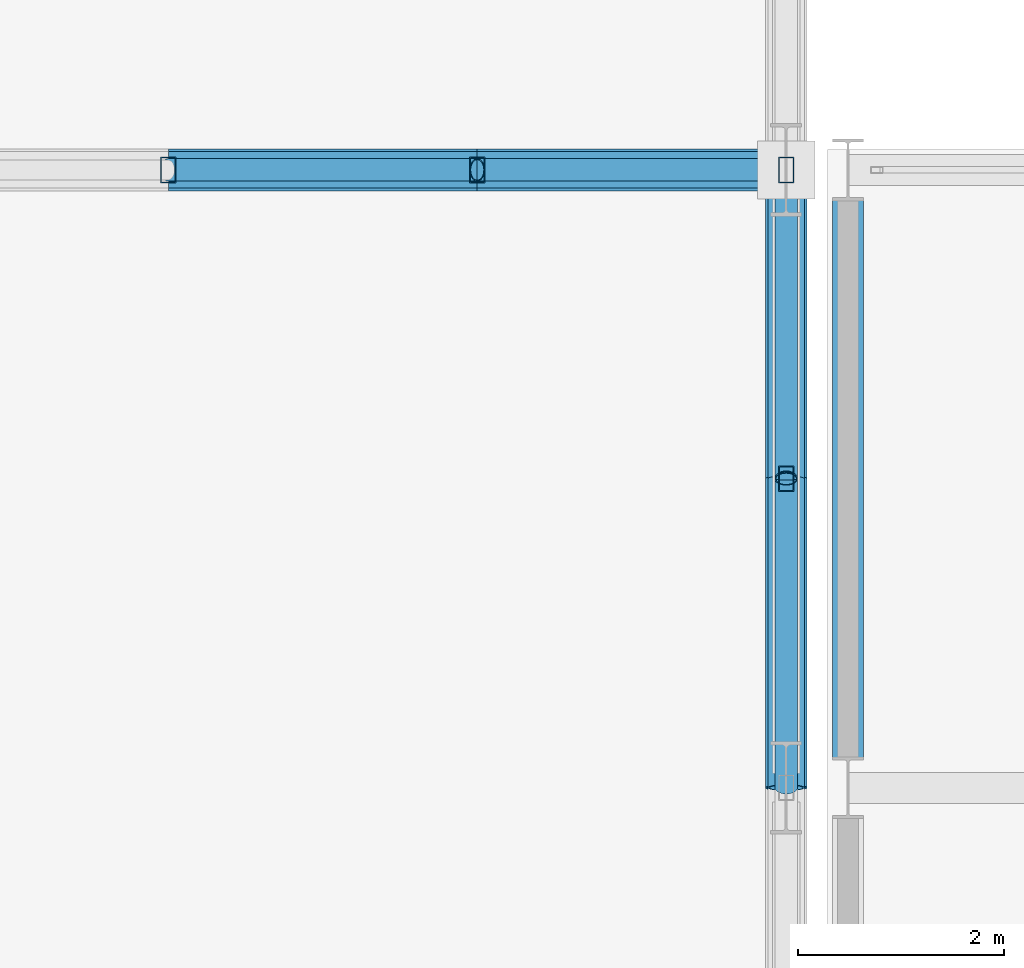
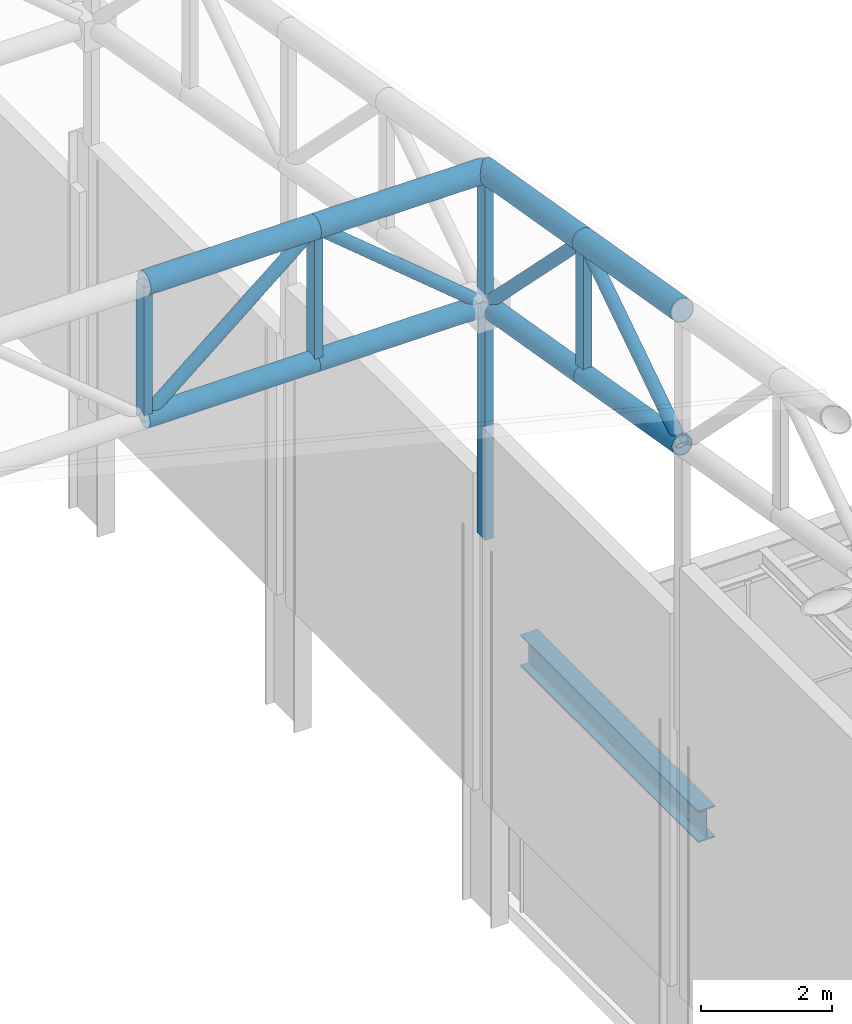
# One storey, part 129 of 239: 16 members, 1 beam.
"""IFC4 building model written with IfcOpenShell, lengths in metres."""

from ifc_helpers import new_model, si_unit, direction, frame, origin, origin_2d, place, context, subcontext, project, spatial, hollow_rectangle, hollow_circle, i_section, extrude, material, material_profile, profile_set, type_object, element, save


model = new_model("IFC4")

# Units and contexts
model_context = context("Model", 3, precision=1e-05, world=origin(), true_north=direction((0.0, 1.0)))
body_context = subcontext(model_context, "Body", "Model", "MODEL_VIEW")
ifc_project = project(units=[si_unit("LENGTHUNIT", "METRE"), si_unit("AREAUNIT", "SQUARE_METRE"), si_unit("VOLUMEUNIT", "CUBIC_METRE"), si_unit("PLANEANGLEUNIT", "RADIAN"), si_unit("MASSUNIT", "GRAM", prefix="KILO")], contexts=[model_context])

# Site, building, storey
site_placement = place(None, origin())
site = spatial("IfcSite", under=ifc_project, at=site_placement, CompositionType="ELEMENT")
building_placement = place(site_placement, origin())
building = spatial("IfcBuilding", under=site, at=building_placement, Name="Kaldris Quays Convention Centre", CompositionType="ELEMENT")
storey_placement = place(building_placement, frame((0.0, 0.0, 11.39990234375)))
storey = spatial("IfcBuildingStorey", under=building, at=storey_placement, Name="L02", CompositionType="ELEMENT", Elevation=11.39990234375)

# Beam
ifc_material_1 = material(Name="Steel S355J2", Category="steel")
ifc_material_profile_1 = material_profile(ifc_material_1, i_section(OverallWidth=0.300048828125, OverallDepth=0.590087890625, WebThickness=0.012939453125, FlangeThickness=0.02490234375, FilletRadius=0.027099609375, at=origin_2d()), Name="HEA 600")
ifc_profile_set_1 = profile_set([ifc_material_profile_1], Name="Steel S355J2")
beam_type = type_object("IfcBeamType", Name="STRUCTURAL BEAM BM08", PredefinedType="BEAM", material=ifc_profile_set_1)
beam_placement = place(storey_placement, frame((146.60009765625, 110.2939453125, 4.8681640625), z_axis=(0.0, 1.0, 0.0), x_axis=(-1.0, 0.0, 0.0)))
element("IfcBeam", 1, at=beam_placement, inside=storey, type_object=beam_type, Name="L02 Girder BM08 77", PredefinedType="BEAM", context=body_context, shape_type="SweptSolid", body=[
    extrude(i_section(OverallWidth=0.300048828125, OverallDepth=0.590087890625, WebThickness=0.012939453125, FlangeThickness=0.02490234375, FilletRadius=0.027099609375, at=origin_2d()), origin(), (0.0, 0.0, 1.0), 5.412109375),
])

# Members
ifc_material_2 = material(Name="Steel S355J2H", Category="steel")
ifc_material_profile_2 = material_profile(ifc_material_2, hollow_circle(Radius=0.203125, WallThickness=0.01611328125, at=origin_2d()), Name="CHS 406.4x16")
ifc_profile_set_2 = profile_set([ifc_material_profile_2], Name="Steel S355J2H")
member_type_1 = type_object("IfcMemberType", Name="STRUCTURAL MEMBER SC01", PredefinedType="CHORD", material=ifc_profile_set_2)
for number, where, z_axis, x_axis, name in (
    (2, (140.0, 116.0, 13.7861328125), (1.0, 0.0, 0.0), (0.0, 1.0, 0.0), "SF-V1 Top Chord X 251"),
    (3, (143.0, 116.0, 13.7861328125), (1.0, 0.0, 0.0), (0.0, 1.0, 0.0), "SF-V1 Top Chord X 252"),
):
    element("IfcMember", number, at=place(storey_placement, frame(where, z_axis=z_axis, x_axis=x_axis)), inside=storey, type_object=member_type_1, Name=name, PredefinedType="CHORD", context=body_context, shape_type="SweptSolid", body=[
        extrude(hollow_circle(Radius=0.203125, WallThickness=0.01611328125, at=origin_2d()), origin(), (0.0, 0.0, 1.0), 3.0),
    ])
for number, where, z_axis, x_axis, name in (
    (4, (146.0, 110.0, 14.814697265625), (0.0, 0.98562912375, -0.168923741424), (-1.0, 0.0, 0.0), "SF-V1 Top Chord Y 551"),
    (5, (146.0, 113.0, 14.300537109375), (0.0, 0.985615766076, -0.169001661712), (-1.0, 0.0, 0.0), "SF-V1 Top Chord Y 552"),
):
    element("IfcMember", number, at=place(storey_placement, frame(where, z_axis=z_axis, x_axis=x_axis)), inside=storey, type_object=member_type_1, Name=name, PredefinedType="CHORD", context=body_context, shape_type="SweptSolid", body=[
        extrude(hollow_circle(Radius=0.203125, WallThickness=0.01611328125, at=origin_2d()), origin(), (0.0, 0.0, 1.0), 3.043701171875),
    ])
ifc_material_profile_3 = material_profile(ifc_material_2, hollow_circle(Radius=0.177734375, WallThickness=0.01611328125, at=origin_2d()), Name="CHS 355.6x16")
ifc_profile_set_3 = profile_set([ifc_material_profile_3], Name="Steel S355J2H")
member_type_2 = type_object("IfcMemberType", Name="STRUCTURAL MEMBER SC02", PredefinedType="CHORD", material=ifc_profile_set_3)
for number, where, z_axis, x_axis, name in (
    (6, (140.0, 116.0, 11.2861328125), (1.0, 0.0, 0.0), (0.0, 1.0, 0.0), "SF-V1 Bottom Chord X 251"),
    (7, (143.0, 116.0, 11.2861328125), (1.0, 0.0, 0.0), (0.0, 1.0, 0.0), "SF-V1 Bottom Chord X 252"),
):
    element("IfcMember", number, at=place(storey_placement, frame(where, z_axis=z_axis, x_axis=x_axis)), inside=storey, type_object=member_type_2, Name=name, PredefinedType="CHORD", context=body_context, shape_type="SweptSolid", body=[
        extrude(hollow_circle(Radius=0.177734375, WallThickness=0.01611328125, at=origin_2d()), origin(), (0.0, 0.0, 1.0), 3.0),
    ])
for number, where, z_axis, x_axis, name in (
    (8, (146.0, 110.0, 12.314697265625), (0.0, 0.98562912375, -0.168923741424), (-1.0, 0.0, 0.0), "SF-V1 Bottom Chord Y 551"),
    (9, (146.0, 113.0, 11.800537109375), (0.0, 0.985615766076, -0.169001661712), (-1.0, 0.0, 0.0), "SF-V1 Bottom Chord Y 552"),
):
    element("IfcMember", number, at=place(storey_placement, frame(where, z_axis=z_axis, x_axis=x_axis)), inside=storey, type_object=member_type_2, Name=name, PredefinedType="CHORD", context=body_context, shape_type="SweptSolid", body=[
        extrude(hollow_circle(Radius=0.177734375, WallThickness=0.01611328125, at=origin_2d()), origin(), (0.0, 0.0, 1.0), 3.043701171875),
    ])
ifc_material_profile_4 = material_profile(ifc_material_2, hollow_circle(Radius=0.109619140625, WallThickness=0.010009765625, at=origin_2d()), Name="CHS 219.1x10")
ifc_profile_set_4 = profile_set([ifc_material_profile_4], Name="Steel S355J2H")
member_type_3 = type_object("IfcMemberType", Name="STRUCTURAL MEMBER SWB1", PredefinedType="BRACE", material=ifc_profile_set_4)
for number, where, z_axis, x_axis, name in (
    (10, (140.0, 116.0, 11.2861328125), (0.768221279597, 0.0, 0.640184399664), (0.0, 1.0, 0.0), "SF-V1 Web Diagonal X 251"),
    (11, (146.0, 116.0, 11.2861328125), (-0.768221279597, 0.0, 0.640184399664), (0.0, -1.0, 0.0), "SF-V1 Web Diagonal X 252"),
):
    element("IfcMember", number, at=place(storey_placement, frame(where, z_axis=z_axis, x_axis=x_axis)), inside=storey, type_object=member_type_3, Name=name, PredefinedType="BRACE", context=body_context, shape_type="SweptSolid", body=[
        extrude(hollow_circle(Radius=0.109619140625, WallThickness=0.010009765625, at=origin_2d()), origin(), (0.0, 0.0, 1.0), 3.905029296875),
    ])
member_1_placement = place(storey_placement, frame((146.0, 110.0, 12.314697265625), z_axis=(0.0, 0.833862389808, 0.551972385962), x_axis=(-1.0, 0.0, 0.0)))
element("IfcMember", 12, at=member_1_placement, inside=storey, type_object=member_type_3, Name="SF-V1 Web Diagonal Y 551", PredefinedType="BRACE", context=body_context, shape_type="SweptSolid", body=[
    extrude(hollow_circle(Radius=0.109619140625, WallThickness=0.010009765625, at=origin_2d()), origin(), (0.0, 0.0, 1.0), 3.59765625),
])
member_2_placement = place(storey_placement, frame((146.0, 116.0, 11.2861328125), z_axis=(0.0, -0.705411261057, 0.708798245465), x_axis=(1.0, 0.0, 0.0)))
element("IfcMember", 13, at=member_2_placement, inside=storey, type_object=member_type_3, Name="SF-V1 Web Diagonal Y 552", PredefinedType="BRACE", context=body_context, shape_type="SweptSolid", body=[
    extrude(hollow_circle(Radius=0.109619140625, WallThickness=0.010009765625, at=origin_2d()), origin(), (0.0, 0.0, 1.0), 4.2529296875),
])
ifc_material_profile_5 = material_profile(ifc_material_2, hollow_rectangle(XDim=0.14990234375, YDim=0.25, WallThickness=0.010009765625, at=origin_2d()), Name="RHS 250x150x10")
ifc_profile_set_5 = profile_set([ifc_material_profile_5], Name="Steel S355J2H")
member_type_4 = type_object("IfcMemberType", Name="STRUCTURAL MEMBER TTV1", PredefinedType="POST", material=ifc_profile_set_5)
for number, where, z_axis, x_axis, name in (
    (14, (140.0, 116.0, 11.2861328125), (0.0, 0.0, 1.0), (1.0, 0.0, 0.0), "SF-V1 Space-Frame Post 473"),
    (15, (143.0, 116.0, 11.2861328125), (0.0, 0.0, 1.0), (1.0, 0.0, 0.0), "SF-V1 Space-Frame Post 481"),
    (16, (146.0, 113.0, 11.800537109375), (0.0, 0.0, 1.0), (1.0, 0.0, 0.0), "SF-V1 Space-Frame Post 503"),
):
    element("IfcMember", number, at=place(storey_placement, frame(where, z_axis=z_axis, x_axis=x_axis)), inside=storey, type_object=member_type_4, Name=name, PredefinedType="POST", context=body_context, shape_type="SweptSolid", body=[
        extrude(hollow_rectangle(XDim=0.14990234375, YDim=0.25, WallThickness=0.010009765625, at=origin_2d()), origin(), (0.0, 0.0, 1.0), 2.5),
    ])
member_3_placement = place(storey_placement, frame((146.0, 116.0, 6.994140625), z_axis=(0.0, 0.0, 1.0), x_axis=(1.0, 0.0, 0.0)))
element("IfcMember", 17, at=member_3_placement, inside=storey, type_object=member_type_4, Name="SF-V1 Space-Frame Post 504", PredefinedType="POST", context=body_context, shape_type="SweptSolid", body=[
    extrude(hollow_rectangle(XDim=0.14990234375, YDim=0.25, WallThickness=0.010009765625, at=origin_2d()), origin(), (0.0, 0.0, 1.0), 6.7919921875),
])

save(model, "model.ifc")
